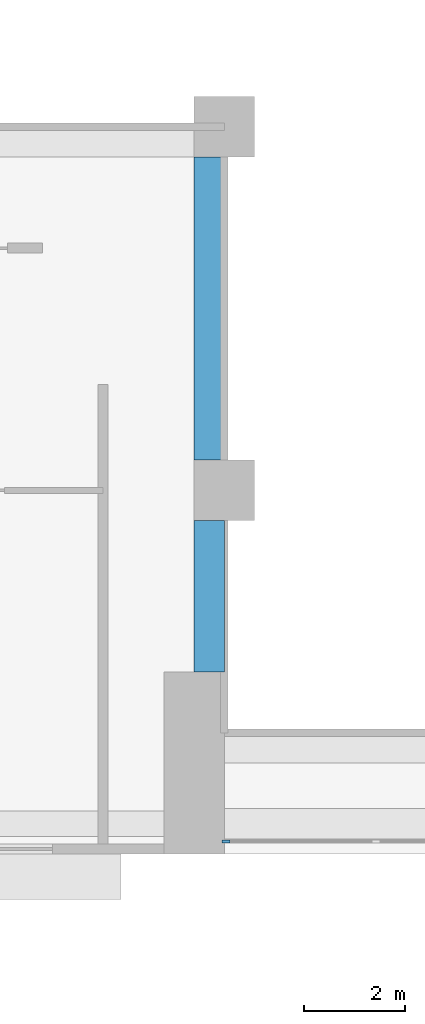
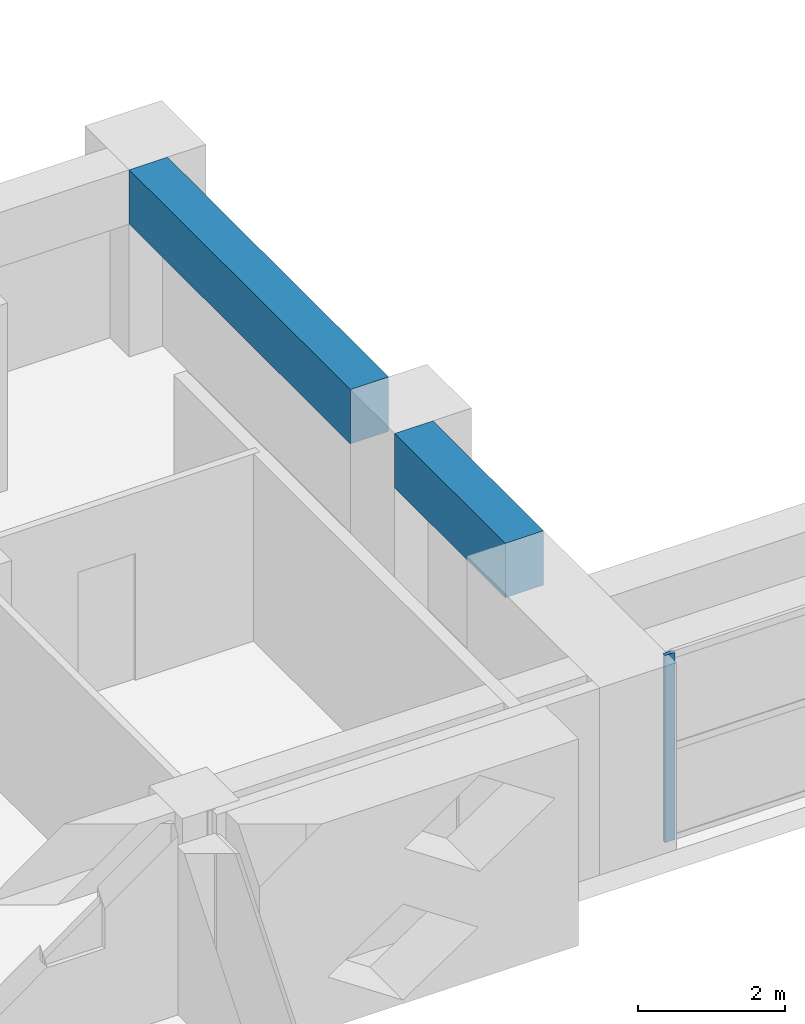
# One storey, part 2 of 17: 2 beams, 1 member, 1 element without a shape of its own.
"""IFC4 building model written with IfcOpenShell, lengths in metres."""

from ifc_helpers import new_model, si_unit, direction, frame, origin, origin_2d, place, context, subcontext, project, spatial, rectangle, extrude, source, transform, mapped, material, layer, layer_set, material_profile, profile_set, type_object, element, aggregate, save


model = new_model("IFC4")

# Units and contexts
model_context = context("Model", 3, precision=1e-05, world=origin(), true_north=direction((0.0, 1.0)))
body_context = subcontext(model_context, "Body", "Model", "MODEL_VIEW")
ifc_project = project(units=[si_unit("LENGTHUNIT", "METRE"), si_unit("AREAUNIT", "SQUARE_METRE"), si_unit("VOLUMEUNIT", "CUBIC_METRE"), si_unit("PLANEANGLEUNIT", "RADIAN"), si_unit("MASSUNIT", "GRAM", prefix="KILO")], contexts=[model_context])

# Site, building, storey
site_placement = place(None, origin())
site = spatial("IfcSite", under=ifc_project, at=site_placement, CompositionType="ELEMENT")
building_placement = place(site_placement, origin())
building = spatial("IfcBuilding", under=site, at=building_placement, Name="Saffron Iwan Residences", CompositionType="ELEMENT")
storey_placement = place(building_placement, frame((0.0, 0.0, 104.0)))
storey = spatial("IfcBuildingStorey", under=building, at=storey_placement, Name="L27", CompositionType="ELEMENT", Elevation=104.0)

# Beams
ifc_material_1 = material(Name="Concrete C60/75", Category="concrete")
ifc_material_profile_1 = material_profile(ifc_material_1, rectangle(XDim=0.60009765625, YDim=0.89990234375, at=origin_2d()), Name="RC 600x900")
ifc_profile_set_1 = profile_set([ifc_material_profile_1], Name="Concrete C60/75")
beam_type = type_object("IfcBeamType", Name="BEAM RC 600x900 C60/75 TOP 3100", PredefinedType="BEAM", material=ifc_profile_set_1)
shared_shape_1 = source(origin(), body_context, "Body", "SweptSolid", [
    extrude(rectangle(XDim=0.60009765625, YDim=0.89990234375, at=origin_2d()), origin(), (0.0, 0.0, 1.0), 3.0),
])
beam_1_placement = place(storey_placement, frame((42.89990234375, 37.199951171875, 2.64990234375), z_axis=(0.0, 1.0, 0.0), x_axis=(-1.0, 0.0, 0.0)))
element("IfcBeam", 1, at=beam_1_placement, inside=storey, type_object=beam_type, Name="Atrium edge beam", PredefinedType="BEAM", context=body_context, shape_type="MappedRepresentation", body=[
    mapped(shared_shape_1, transform((0.0, 0.0, 0.0))),
])
shared_shape_2 = source(origin(), body_context, "Body", "SweptSolid", [
    extrude(rectangle(XDim=0.60009765625, YDim=0.89990234375, at=origin_2d()), origin(), (0.0, 0.0, 1.0), 6.0),
])
beam_2_placement = place(storey_placement, frame((42.89990234375, 41.39990234375, 2.64990234375), z_axis=(0.0, 1.0, 0.0), x_axis=(-1.0, 0.0, 0.0)))
element("IfcBeam", 2, at=beam_2_placement, inside=storey, type_object=beam_type, Name="Atrium edge beam", PredefinedType="BEAM", context=body_context, shape_type="MappedRepresentation", body=[
    mapped(shared_shape_2, transform((0.0, 0.0, 0.0))),
])

# Curtain wall, member
ifc_material_2 = material(Name="Clear glass, laminated double glazed", Category="glass")
ifc_layer = layer(ifc_material_2, 0.199951171875)
ifc_layer_set = layer_set([ifc_layer], Name="Clear glass, laminated double glazed")
curtain_wall_type = type_object("IfcCurtainWallType", Name="CW-B IWAN PORTAL", PredefinedType="NOTDEFINED", material=ifc_layer_set)
curtain_wall_placement = place(storey_placement, origin())
curtain_wall = element("IfcCurtainWall", 3, at=curtain_wall_placement, inside=storey, type_object=curtain_wall_type, Name="Iwan portal glazing L27.1", PredefinedType="NOTDEFINED")
ifc_material_3 = material(Name="Aluminium 6063-T6", Category="aluminium")
ifc_material_profile_2 = material_profile(ifc_material_3, rectangle(XDim=0.06005859375, YDim=0.159912109375, at=origin_2d()), Name="CW-B MULLION 60 x 160")
ifc_profile_set_2 = profile_set([ifc_material_profile_2], Name="Aluminium 6063-T6")
member_type = type_object("IfcMemberType", Name="CW-B MULLION 60 x 160", PredefinedType="MULLION", material=ifc_profile_set_2)
shared_shape_3 = source(origin(), body_context, "Body", "SweptSolid", [
    extrude(rectangle(XDim=0.06005859375, YDim=0.159912109375, at=origin_2d()), origin(), (0.0, 0.0, 1.0), 3.10009765625),
])
member_placement = place(storey_placement, frame((43.22998046875, 33.85009765625, 0.0), z_axis=(0.0, 0.0, 1.0), x_axis=(0.0, 1.0, 0.0)))
member = element("IfcMember", 4, at=member_placement, type_object=member_type, Name="CW-B mullion 1", PredefinedType="MULLION", context=body_context, shape_type="MappedRepresentation", body=[
    mapped(shared_shape_3, transform((0.0, 0.0, 0.0))),
])
aggregate(curtain_wall, [member])

save(model, "model.ifc")
